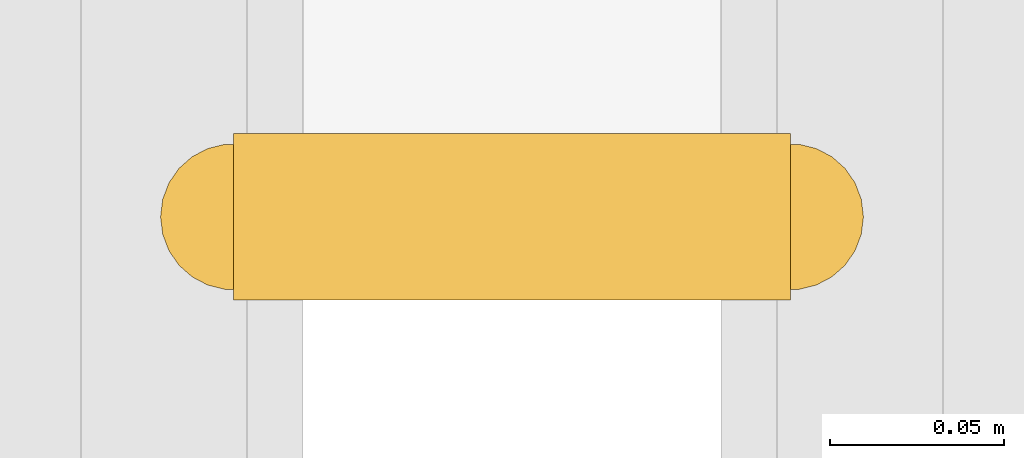
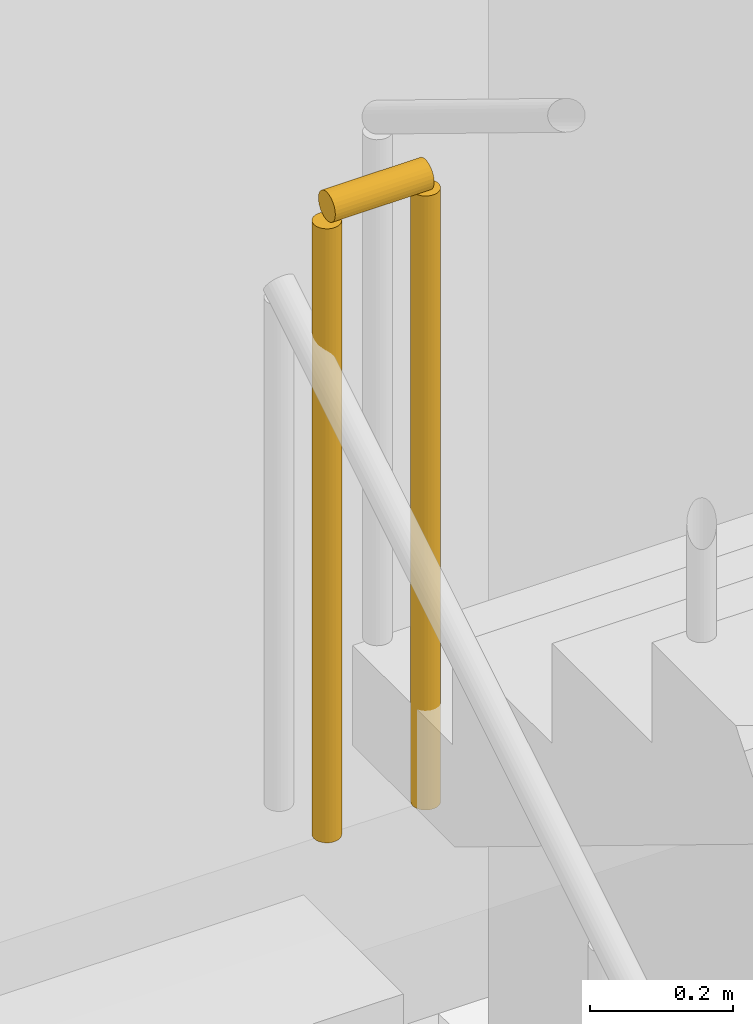
# One storey, part 161 of 179: 1 railing.
"""IFC4 building model written with IfcOpenShell, lengths in metres."""

from ifc_helpers import new_model, si_unit, direction, frame, origin, origin_2d, place, context, subcontext, project, spatial, circle, extrude, material, layer, layer_set, type_object, element, save


model = new_model("IFC4")

# Units and contexts
model_context = context("Model", 3, precision=1e-05, world=origin(), true_north=direction((0.0, 1.0)))
body_context = subcontext(model_context, "Body", "Model", "MODEL_VIEW")
ifc_project = project(units=[si_unit("LENGTHUNIT", "METRE"), si_unit("AREAUNIT", "SQUARE_METRE"), si_unit("VOLUMEUNIT", "CUBIC_METRE"), si_unit("PLANEANGLEUNIT", "RADIAN"), si_unit("MASSUNIT", "GRAM", prefix="KILO")], contexts=[model_context])

# Site, building, storey
site_placement = place(None, origin())
site = spatial("IfcSite", under=ifc_project, at=site_placement, CompositionType="ELEMENT")
building_placement = place(site_placement, origin())
building = spatial("IfcBuilding", under=site, at=building_placement, Name="Corvandel Quay Wholesale Market", CompositionType="ELEMENT")
storey_placement = place(building_placement, frame((0.0, 0.0, 6.0)))
storey = spatial("IfcBuildingStorey", under=building, at=storey_placement, Name="L01", CompositionType="ELEMENT", Elevation=6.0)

# Railing
ifc_material = material(Name="Painted galvanised tubular steel", Category="steel")
ifc_layer = layer(ifc_material, 0.054931640625)
ifc_layer_set = layer_set([ifc_layer], Name="Painted galvanised tubular steel")
railing_type = type_object("IfcRailingType", Name="Stairwell Inner Guard Railing GR02 1100mm", PredefinedType="GUARDRAIL", material=ifc_layer_set)
railing_placement = place(storey_placement, frame((105.919921875, 96.68994140625, 2.39990234375)))
element("IfcRailing", 1, at=railing_placement, inside=storey, type_object=railing_type, Name="Stair Landing Well Guard 0055", PredefinedType="GUARDRAIL", context=body_context, shape_type="SweptSolid", body=[
    extrude(circle(Radius=0.02392578125, at=origin_2d()), frame((0.0, 0.0, 1.076171875), z_axis=(1.0, 0.0, 0.0), x_axis=(0.0, 1.0, 0.0)), (0.0, 0.0, 1.0), 0.16015625),
    extrude(circle(Radius=0.02099609375, at=origin_2d()), origin(), (0.0, 0.0, 1.0), 1.052001953125),
    extrude(circle(Radius=0.02099609375, at=origin_2d()), frame((0.16015625, 0.0, 0.0)), (0.0, 0.0, 1.0), 1.052001953125),
])

save(model, "model.ifc")
